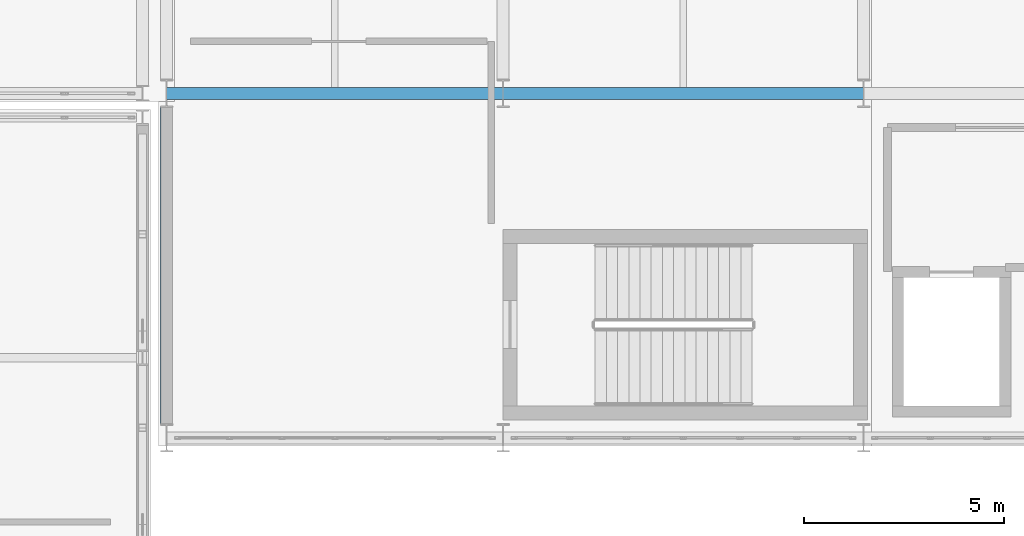
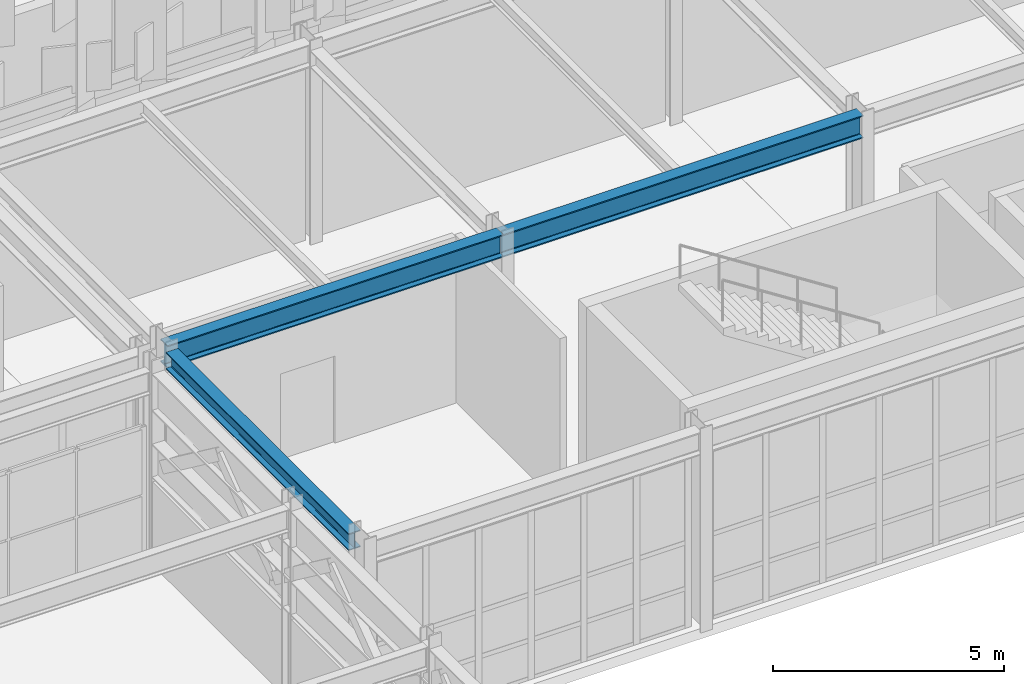
# One storey, part 57 of 210: 3 beams.
"""IFC4 building model written with IfcOpenShell, lengths in metres."""

from ifc_helpers import new_model, si_unit, direction, frame, origin, origin_2d, place, context, subcontext, project, spatial, i_section, extrude, material, material_profile, profile_set, type_object, element, save


model = new_model("IFC4")

# Units and contexts
model_context = context("Model", 3, precision=1e-05, world=origin(), true_north=direction((0.0, 1.0)))
body_context = subcontext(model_context, "Body", "Model", "MODEL_VIEW")
ifc_project = project(units=[si_unit("LENGTHUNIT", "METRE"), si_unit("AREAUNIT", "SQUARE_METRE"), si_unit("VOLUMEUNIT", "CUBIC_METRE"), si_unit("PLANEANGLEUNIT", "RADIAN"), si_unit("MASSUNIT", "GRAM", prefix="KILO")], contexts=[model_context])

# Site, building, storey
site_placement = place(None, origin())
site = spatial("IfcSite", under=ifc_project, at=site_placement, CompositionType="ELEMENT")
building_placement = place(site_placement, origin())
building = spatial("IfcBuilding", under=site, at=building_placement, Name="Kaldris Quays Convention Centre", CompositionType="ELEMENT")
storey_placement = place(building_placement, frame((0.0, 0.0, 6.0)))
storey = spatial("IfcBuildingStorey", under=building, at=storey_placement, Name="L01", CompositionType="ELEMENT", Elevation=6.0)

# Beams
ifc_material = material(Name="Steel S355J2", Category="steel")
ifc_material_profile_1 = material_profile(ifc_material, i_section(OverallWidth=0.300048828125, OverallDepth=0.60009765625, WebThickness=0.015380859375, FlangeThickness=0.030029296875, FilletRadius=0.027099609375, at=origin_2d()), Name="HEB 600")
ifc_profile_set_1 = profile_set([ifc_material_profile_1], Name="Steel S355J2")
beam_type_1 = type_object("IfcBeamType", Name="STRUCTURAL BEAM BM05", PredefinedType="BEAM", material=ifc_profile_set_1)
beam_1_placement = place(storey_placement, frame((83.6025390625, 46.60009765625, 4.843017578125), z_axis=(1.0, 0.0, 0.0), x_axis=(0.0, 1.0, 0.0)))
element("IfcBeam", 1, at=beam_1_placement, inside=storey, type_object=beam_type_1, Name="L01 Girder BM05 10", PredefinedType="BEAM", context=body_context, shape_type="SweptSolid", body=[
    extrude(i_section(OverallWidth=0.300048828125, OverallDepth=0.60009765625, WebThickness=0.015380859375, FlangeThickness=0.030029296875, FilletRadius=0.027099609375, at=origin_2d()), origin(), (0.0, 0.0, 1.0), 8.39501953125),
])
beam_2_placement = place(storey_placement, frame((92.00244140625, 46.60009765625, 4.843017578125), z_axis=(1.0, 0.0, 0.0), x_axis=(0.0, 1.0, 0.0)))
element("IfcBeam", 2, at=beam_2_placement, inside=storey, type_object=beam_type_1, Name="L01 Girder BM05 11", PredefinedType="BEAM", context=body_context, shape_type="SweptSolid", body=[
    extrude(i_section(OverallWidth=0.300048828125, OverallDepth=0.60009765625, WebThickness=0.015380859375, FlangeThickness=0.030029296875, FilletRadius=0.027099609375, at=origin_2d()), origin(), (0.0, 0.0, 1.0), 8.9951171875),
])
ifc_material_profile_2 = material_profile(ifc_material, i_section(OverallWidth=0.300048828125, OverallDepth=0.449951171875, WebThickness=0.013916015625, FlangeThickness=0.02587890625, FilletRadius=0.027099609375, at=origin_2d()), Name="HEB 450")
ifc_profile_set_2 = profile_set([ifc_material_profile_2], Name="Steel S355J2")
beam_type_2 = type_object("IfcBeamType", Name="STRUCTURAL BEAM BM07", PredefinedType="BEAM", material=ifc_profile_set_2)
beam_3_placement = place(storey_placement, frame((83.60009765625, 38.343994140625, 4.91796875), z_axis=(0.0, 1.0, 0.0), x_axis=(-1.0, 0.0, 0.0)))
element("IfcBeam", 3, at=beam_3_placement, inside=storey, type_object=beam_type_2, Name="L01 Girder BM07 56", PredefinedType="BEAM", context=body_context, shape_type="SweptSolid", body=[
    extrude(i_section(OverallWidth=0.300048828125, OverallDepth=0.449951171875, WebThickness=0.013916015625, FlangeThickness=0.02587890625, FilletRadius=0.027099609375, at=origin_2d()), origin(), (0.0, 0.0, 1.0), 7.912109375),
])

save(model, "model.ifc")
